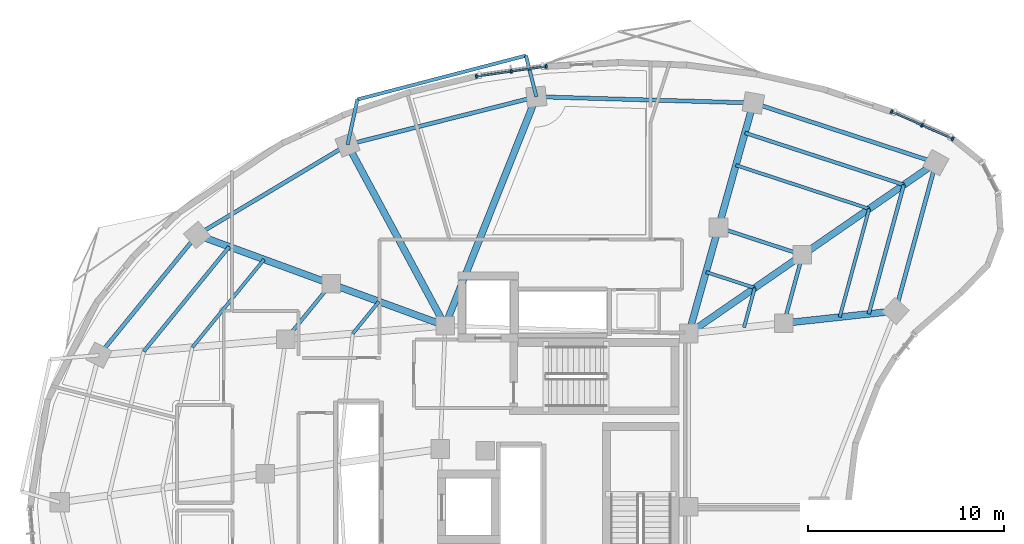
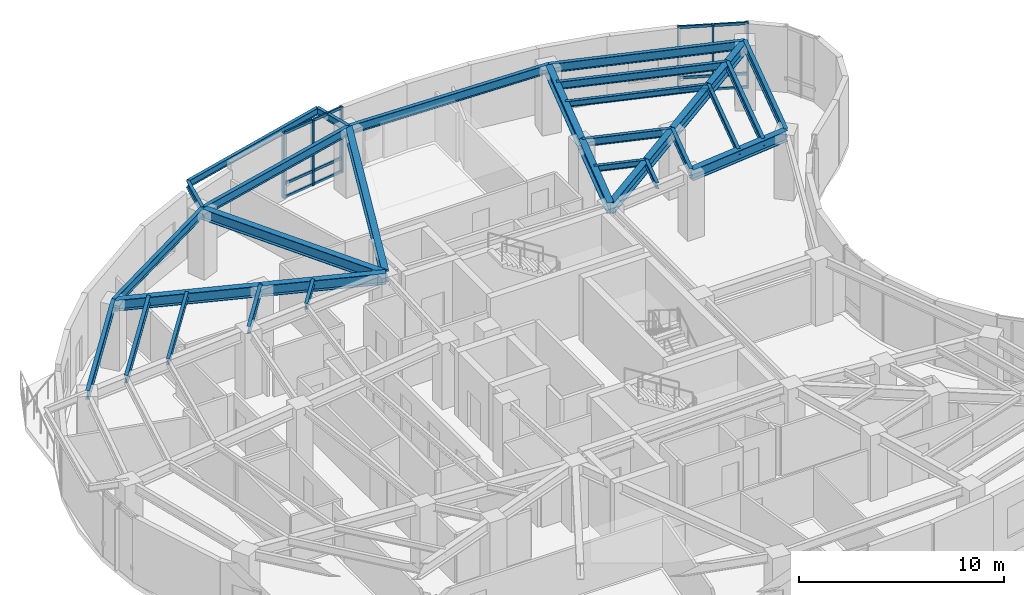
# One storey, part 5 of 15: 30 beams, 18 members, 2 elements without a shape of their own.
"""IFC4 building model written with IfcOpenShell, lengths in metres."""

from ifc_helpers import new_model, si_unit, direction, frame, origin, origin_2d, place, context, subcontext, project, spatial, rectangle, i_section, extrude, material, layer, layer_set, material_profile, profile_set, type_object, element, aggregate, save


model = new_model("IFC4")

# Units and contexts
model_context = context("Model", 3, precision=1e-05, world=origin(), true_north=direction((0.0, 1.0)))
body_context = subcontext(model_context, "Body", "Model", "MODEL_VIEW")
ifc_project = project(units=[si_unit("LENGTHUNIT", "METRE"), si_unit("AREAUNIT", "SQUARE_METRE"), si_unit("VOLUMEUNIT", "CUBIC_METRE"), si_unit("PLANEANGLEUNIT", "RADIAN"), si_unit("MASSUNIT", "GRAM", prefix="KILO")], contexts=[model_context])

# Site, building, storey
site_placement = place(None, origin())
site = spatial("IfcSite", under=ifc_project, at=site_placement, CompositionType="ELEMENT")
building_placement = place(site_placement, origin())
building = spatial("IfcBuilding", under=site, at=building_placement, Name="Korentha Bioscience Tower", CompositionType="ELEMENT")
storey_placement = place(building_placement, frame((0.0, 0.0, 235.199951171875)))
storey = spatial("IfcBuildingStorey", under=building, at=storey_placement, Name="L54", CompositionType="ELEMENT", Elevation=235.199951171875)

# Beams
ifc_material_1 = material(Name="Steel S355", Category="steel")
ifc_material_profile_1 = material_profile(ifc_material_1, i_section(OverallWidth=0.18994140625, OverallDepth=0.45703125, WebThickness=0.009033203125, FlangeThickness=0.014404296875, at=origin_2d()), Name="Steel S355")
ifc_profile_set_1 = profile_set([ifc_material_profile_1], Name="Steel S355 (MB-460)")
beam_type_1 = type_object("IfcBeamType", Name="Mid-Ring Tie Girder W460x74", PredefinedType="BEAM", material=ifc_profile_set_1)
beam_1_placement = place(storey_placement, frame((43.357666015625, 39.8662109375, 3.671630859375), z_axis=(-0.950447398506, 0.310885417274, 0.0), x_axis=(-0.310885417274, -0.950447398506, 0.0)))
element("IfcBeam", 1, at=beam_1_placement, inside=storey, type_object=beam_type_1, Name="L54 Mid-Ring Tie Girder 01", PredefinedType="BEAM", context=body_context, shape_type="SweptSolid", body=[
    extrude(i_section(OverallWidth=0.18994140625, OverallDepth=0.45703125, WebThickness=0.009033203125, FlangeThickness=0.014404296875, at=origin_2d()), origin(), (0.0, 0.0, 1.0), 4.5146484375),
])
beam_2_placement = place(storey_placement, frame((19.268310546875, 38.3837890625, 3.671630859375), z_axis=(-0.632275728894, -0.774743443116, 0.0), x_axis=(0.774743443116, -0.632275728894, 0.0)))
element("IfcBeam", 2, at=beam_2_placement, inside=storey, type_object=beam_type_1, Name="L54 Mid-Ring Tie Girder 05", PredefinedType="BEAM", context=body_context, shape_type="SweptSolid", body=[
    extrude(i_section(OverallWidth=0.18994140625, OverallDepth=0.45703125, WebThickness=0.009033203125, FlangeThickness=0.014404296875, at=origin_2d()), origin(), (0.0, 0.0, 1.0), 3.650146484375),
])
beam_3_placement = place(storey_placement, frame((42.41064453125, 36.379638671875, 3.671630859375), z_axis=(0.262122358011, 0.965034646752, 0.0), x_axis=(-0.965034646752, 0.262122358011, 0.0)))
element("IfcBeam", 3, at=beam_3_placement, inside=storey, type_object=beam_type_1, Name="L54 Mid-Ring Tie Girder 16", PredefinedType="BEAM", context=body_context, shape_type="SweptSolid", body=[
    extrude(i_section(OverallWidth=0.18994140625, OverallDepth=0.45703125, WebThickness=0.009033203125, FlangeThickness=0.014404296875, at=origin_2d()), origin(), (0.0, 0.0, 1.0), 3.61279296875),
])

# Curtain wall, members
ifc_material_2 = material(Name="Thermally Broken Aluminium Frame", Category="aluminium")
ifc_layer = layer(ifc_material_2, 0.219970703125, Name="Thermally Broken Aluminium Frame")
ifc_layer_set = layer_set([ifc_layer], Name="Thermally Broken Aluminium Frame (CW-T2)")
curtain_wall_type = type_object("IfcCurtainWallType", Name="Solar-Screened Lab Unitised Curtain Wall CW-T2", PredefinedType="USERDEFINED", material=ifc_layer_set)
curtain_wall_1_placement = place(storey_placement, origin())
curtain_wall_1 = element("IfcCurtainWall", 4, at=curtain_wall_1_placement, inside=storey, type_object=curtain_wall_type, Name="L54 Curtain Wall 01", ObjectType="UNITISED", PredefinedType="USERDEFINED")
ifc_material_3 = material(Name="Anodised Aluminium 6063-T6", Category="aluminium")
ifc_material_profile_2 = material_profile(ifc_material_3, rectangle(XDim=0.090087890625, YDim=0.199951171875, at=origin_2d()), Name="Anodised Aluminium 6063-T6")
ifc_profile_set_2 = profile_set([ifc_material_profile_2], Name="Anodised Aluminium 6063-T6 (CW-MUL)")
member_type_1 = type_object("IfcMemberType", Name="Mullion RECT 90x200", PredefinedType="MULLION", material=ifc_profile_set_2)
member_1_placement = place(storey_placement, frame((51.038818359375, 45.795166015625, 0.0), z_axis=(0.0, 0.0, 1.0), x_axis=(-0.913943941578, 0.405840450983, 0.0)))
member_1 = element("IfcMember", 5, at=member_1_placement, type_object=member_type_1, Name="CW-L54-01 Mullion 1", PredefinedType="MULLION", context=body_context, shape_type="SweptSolid", body=[
    extrude(rectangle(XDim=0.090087890625, YDim=0.199951171875, at=origin_2d()), origin(), (0.0, 0.0, 1.0), 3.900146484375),
])
member_2_placement = place(storey_placement, frame((49.471923828125, 46.49072265625, 0.0), z_axis=(0.0, 0.0, 1.0), x_axis=(-0.913943941578, 0.405840450983, 0.0)))
member_2 = element("IfcMember", 6, at=member_2_placement, type_object=member_type_1, Name="CW-L54-01 Mullion 2", PredefinedType="MULLION", context=body_context, shape_type="SweptSolid", body=[
    extrude(rectangle(XDim=0.090087890625, YDim=0.199951171875, at=origin_2d()), origin(), (0.0, 0.0, 1.0), 3.900146484375),
])
member_3_placement = place(storey_placement, frame((47.9052734375, 47.186279296875, 0.0), z_axis=(0.0, 0.0, 1.0), x_axis=(-0.913943941578, 0.405840450983, 0.0)))
member_3 = element("IfcMember", 7, at=member_3_placement, type_object=member_type_1, Name="CW-L54-01 Mullion 3", PredefinedType="MULLION", context=body_context, shape_type="SweptSolid", body=[
    extrude(rectangle(XDim=0.090087890625, YDim=0.199951171875, at=origin_2d()), origin(), (0.0, 0.0, 1.0), 3.900146484375),
])

curtain_wall_2_placement = place(storey_placement, origin())
curtain_wall_2 = element("IfcCurtainWall", 8, at=curtain_wall_2_placement, inside=storey, type_object=curtain_wall_type, Name="L54 Curtain Wall 07", ObjectType="UNITISED", PredefinedType="USERDEFINED")
member_4_placement = place(storey_placement, frame((30.267578125, 49.498779296875, 0.0), z_axis=(0.0, 0.0, 1.0), x_axis=(-0.989901889134, -0.141754188259, 0.0)))
member_4 = element("IfcMember", 9, at=member_4_placement, type_object=member_type_1, Name="CW-L54-07 Mullion 1", PredefinedType="MULLION", context=body_context, shape_type="SweptSolid", body=[
    extrude(rectangle(XDim=0.090087890625, YDim=0.199951171875, at=origin_2d()), origin(), (0.0, 0.0, 1.0), 3.900146484375),
])
member_5_placement = place(storey_placement, frame((28.47998046875, 49.242919921875, 0.0), z_axis=(0.0, 0.0, 1.0), x_axis=(-0.989901889134, -0.141754188259, 0.0)))
member_5 = element("IfcMember", 10, at=member_5_placement, type_object=member_type_1, Name="CW-L54-07 Mullion 2", PredefinedType="MULLION", context=body_context, shape_type="SweptSolid", body=[
    extrude(rectangle(XDim=0.090087890625, YDim=0.199951171875, at=origin_2d()), origin(), (0.0, 0.0, 1.0), 3.900146484375),
])
member_6_placement = place(storey_placement, frame((26.6923828125, 48.98681640625, 0.0), z_axis=(0.0, 0.0, 1.0), x_axis=(-0.989901889134, -0.141754188259, 0.0)))
member_6 = element("IfcMember", 11, at=member_6_placement, type_object=member_type_1, Name="CW-L54-07 Mullion 3", PredefinedType="MULLION", context=body_context, shape_type="SweptSolid", body=[
    extrude(rectangle(XDim=0.090087890625, YDim=0.199951171875, at=origin_2d()), origin(), (0.0, 0.0, 1.0), 3.900146484375),
])

# Beams
ifc_material_profile_3 = material_profile(ifc_material_1, i_section(OverallWidth=0.208984375, OverallDepth=0.532958984375, WebThickness=0.01025390625, FlangeThickness=0.015625, at=origin_2d()), Name="Steel S355")
ifc_profile_set_3 = profile_set([ifc_material_profile_3], Name="Steel S355 (SB-530)")
beam_type_2 = type_object("IfcBeamType", Name="Perimeter Ring Spandrel Girder W530x92", PredefinedType="SPANDREL", material=ifc_profile_set_3)
beam_4_placement = place(storey_placement, frame((50.175537109375, 44.580810546875, 3.633544921875), z_axis=(-0.950449256032, 0.310879738338, 0.0), x_axis=(-0.310879738338, -0.950449256032, 0.0)))
element("IfcBeam", 12, at=beam_4_placement, inside=storey, type_object=beam_type_2, Name="L54 Perimeter Spandrel Girder 01", PredefinedType="SPANDREL", context=body_context, shape_type="SweptSolid", body=[
    extrude(i_section(OverallWidth=0.208984375, OverallDepth=0.532958984375, WebThickness=0.01025390625, FlangeThickness=0.015625, at=origin_2d()), origin(), (0.0, 0.0, 1.0), 9.81494140625),
])
beam_5_placement = place(storey_placement, frame((40.846923828125, 47.632080078125, 3.633544921875), z_axis=(-0.999586140554, 0.028767127286, 0.0), x_axis=(-0.028767127286, -0.999586140554, 0.0)))
element("IfcBeam", 13, at=beam_5_placement, inside=storey, type_object=beam_type_2, Name="L54 Perimeter Spandrel Girder 02", PredefinedType="SPANDREL", context=body_context, shape_type="SweptSolid", body=[
    extrude(i_section(OverallWidth=0.208984375, OverallDepth=0.532958984375, WebThickness=0.01025390625, FlangeThickness=0.015625, at=origin_2d()), origin(), (0.0, 0.0, 1.0), 11.09228515625),
])
beam_6_placement = place(storey_placement, frame((29.75927734375, 47.951171875, 3.633544921875), z_axis=(-0.969197317616, -0.246285524395, 0.0), x_axis=(0.246285524395, -0.969197317616, 0.0)))
element("IfcBeam", 14, at=beam_6_placement, inside=storey, type_object=beam_type_2, Name="L54 Perimeter Spandrel Girder 03", PredefinedType="SPANDREL", context=body_context, shape_type="SweptSolid", body=[
    extrude(i_section(OverallWidth=0.208984375, OverallDepth=0.532958984375, WebThickness=0.01025390625, FlangeThickness=0.015625, at=origin_2d()), origin(), (0.0, 0.0, 1.0), 9.95263671875),
])
beam_7_placement = place(storey_placement, frame((20.11328125, 45.5, 3.633544921875), z_axis=(-0.857644232791, -0.514243492872, 0.0), x_axis=(0.514243492872, -0.857644232791, 0.0)))
element("IfcBeam", 15, at=beam_7_placement, inside=storey, type_object=beam_type_2, Name="L54 Perimeter Spandrel Girder 04", PredefinedType="SPANDREL", context=body_context, shape_type="SweptSolid", body=[
    extrude(i_section(OverallWidth=0.208984375, OverallDepth=0.532958984375, WebThickness=0.01025390625, FlangeThickness=0.015625, at=origin_2d()), origin(), (0.0, 0.0, 1.0), 8.96728515625),
])
beam_8_placement = place(storey_placement, frame((12.422607421875, 40.888671875, 3.633544921875), z_axis=(-0.632315820697, -0.774710722074, 0.0), x_axis=(0.774710722074, -0.632315820697, 0.0)))
element("IfcBeam", 16, at=beam_8_placement, inside=storey, type_object=beam_type_2, Name="L54 Perimeter Spandrel Girder 05", PredefinedType="SPANDREL", context=body_context, shape_type="SweptSolid", body=[
    extrude(i_section(OverallWidth=0.208984375, OverallDepth=0.532958984375, WebThickness=0.01025390625, FlangeThickness=0.015625, at=origin_2d()), origin(), (0.0, 0.0, 1.0), 7.934814453125),
])
beam_9_placement = place(storey_placement, frame((48.116455078125, 37.001220703125, 3.633544921875), z_axis=(0.26215989838, 0.965024449266, 0.0), x_axis=(-0.965024449266, 0.26215989838, 0.0)))
element("IfcBeam", 17, at=beam_9_placement, inside=storey, type_object=beam_type_2, Name="L54 Perimeter Spandrel Girder 16", PredefinedType="SPANDREL", context=body_context, shape_type="SweptSolid", body=[
    extrude(i_section(OverallWidth=0.208984375, OverallDepth=0.532958984375, WebThickness=0.01025390625, FlangeThickness=0.015625, at=origin_2d()), origin(), (0.0, 0.0, 1.0), 7.854248046875),
])
ifc_material_profile_4 = material_profile(ifc_material_1, i_section(OverallWidth=0.18994140625, OverallDepth=0.45703125, WebThickness=0.009033203125, FlangeThickness=0.014404296875, at=origin_2d()), Name="Steel S355")
ifc_profile_set_4 = profile_set([ifc_material_profile_4], Name="Steel S355 (RB-460)")
beam_type_3 = type_object("IfcBeamType", Name="Radial Laboratory Beam W460x74", PredefinedType="BEAM", material=ifc_profile_set_4)
beam_10_placement = place(storey_placement, frame((48.539306640625, 43.44921875, 3.671630859375), z_axis=(-0.950451488918, 0.310872911674, 0.0), x_axis=(-0.310872911674, -0.950451488918, 0.0)))
element("IfcBeam", 18, at=beam_10_placement, inside=storey, type_object=beam_type_3, Name="L54 Secondary Floor Beam JSTO-01", PredefinedType="BEAM", context=body_context, shape_type="SweptSolid", body=[
    extrude(i_section(OverallWidth=0.18994140625, OverallDepth=0.45703125, WebThickness=0.009033203125, FlangeThickness=0.014404296875, at=origin_2d()), origin(), (0.0, 0.0, 1.0), 8.54296875),
])
beam_11_placement = place(storey_placement, frame((14.065673828125, 40.28759765625, 3.671630859375), z_axis=(-0.632321075077, -0.77470643344, 0.0), x_axis=(0.77470643344, -0.632321075077, 0.0)))
element("IfcBeam", 19, at=beam_11_placement, inside=storey, type_object=beam_type_3, Name="L54 Secondary Floor Beam JSTO-05", PredefinedType="BEAM", context=body_context, shape_type="SweptSolid", body=[
    extrude(i_section(OverallWidth=0.18994140625, OverallDepth=0.45703125, WebThickness=0.009033203125, FlangeThickness=0.014404296875, at=origin_2d()), origin(), (0.0, 0.0, 1.0), 6.906494140625),
])
beam_12_placement = place(storey_placement, frame((46.7470703125, 36.85205078125, 3.671630859375), z_axis=(0.262165402462, 0.965022954003, 0.0), x_axis=(-0.965022954003, 0.262165402462, 0.0)))
element("IfcBeam", 20, at=beam_12_placement, inside=storey, type_object=beam_type_3, Name="L54 Secondary Floor Beam JSTO-16", PredefinedType="BEAM", context=body_context, shape_type="SweptSolid", body=[
    extrude(i_section(OverallWidth=0.18994140625, OverallDepth=0.45703125, WebThickness=0.009033203125, FlangeThickness=0.014404296875, at=origin_2d()), origin(), (0.0, 0.0, 1.0), 6.836181640625),
])
ifc_material_profile_5 = material_profile(ifc_material_1, i_section(OverallWidth=0.35009765625, OverallDepth=0.64990234375, WebThickness=0.01611328125, FlangeThickness=0.02490234375, at=origin_2d()), Name="Steel S355")
ifc_profile_set_5 = profile_set([ifc_material_profile_5], Name="Steel S355 (RB-650)")
beam_type_4 = type_object("IfcBeamType", Name="Radial Laboratory Girder CVS 650x208", PredefinedType="BEAM", material=ifc_profile_set_5)
beam_13_placement = place(storey_placement, frame((37.550048828125, 35.85009765625, 3.574951171875), z_axis=(0.822493302413, 0.568774795052, 0.0), x_axis=(-0.568774795052, 0.822493302413, 0.0)))
element("IfcBeam", 21, at=beam_13_placement, inside=storey, type_object=beam_type_4, Name="L54 Inner Radial Girder 01", PredefinedType="BEAM", context=body_context, shape_type="SweptSolid", body=[
    extrude(i_section(OverallWidth=0.35009765625, OverallDepth=0.64990234375, WebThickness=0.01611328125, FlangeThickness=0.02490234375, at=origin_2d()), origin(), (0.0, 0.0, 1.0), 7.06103515625),
])
beam_14_placement = place(storey_placement, frame((43.357666015625, 39.8662109375, 3.574951171875), z_axis=(0.82250061903, 0.568764214499, 0.0), x_axis=(-0.568764214499, 0.82250061903, 0.0)))
element("IfcBeam", 22, at=beam_14_placement, inside=storey, type_object=beam_type_4, Name="L54 Outer Radial Girder 01", PredefinedType="BEAM", context=body_context, shape_type="SweptSolid", body=[
    extrude(i_section(OverallWidth=0.35009765625, OverallDepth=0.64990234375, WebThickness=0.01611328125, FlangeThickness=0.02490234375, at=origin_2d()), origin(), (0.0, 0.0, 1.0), 8.289306640625),
])
beam_15_placement = place(storey_placement, frame((37.550048828125, 35.85009765625, 3.574951171875), z_axis=(0.269480278508, 0.963005908339, 0.0), x_axis=(-0.963005908339, 0.269480278508, 0.0)))
element("IfcBeam", 23, at=beam_15_placement, inside=storey, type_object=beam_type_4, Name="L54 Inner Radial Girder 02", PredefinedType="BEAM", context=body_context, shape_type="SweptSolid", body=[
    extrude(i_section(OverallWidth=0.35009765625, OverallDepth=0.64990234375, WebThickness=0.01611328125, FlangeThickness=0.02490234375, at=origin_2d()), origin(), (0.0, 0.0, 1.0), 5.6279296875),
])
beam_16_placement = place(storey_placement, frame((39.066650390625, 41.269775390625, 3.574951171875), z_axis=(0.269465439817, 0.963010060562, 0.0), x_axis=(-0.963010060562, 0.269465439817, 0.0)))
element("IfcBeam", 24, at=beam_16_placement, inside=storey, type_object=beam_type_4, Name="L54 Outer Radial Girder 02", PredefinedType="BEAM", context=body_context, shape_type="SweptSolid", body=[
    extrude(i_section(OverallWidth=0.35009765625, OverallDepth=0.64990234375, WebThickness=0.01611328125, FlangeThickness=0.02490234375, at=origin_2d()), origin(), (0.0, 0.0, 1.0), 6.606689453125),
])
beam_17_placement = place(storey_placement, frame((25.10009765625, 36.25, 3.574951171875), z_axis=(0.369933042289, 0.929058418089, 0.0), x_axis=(-0.929058418089, 0.369933042289, 0.0)))
element("IfcBeam", 25, at=beam_17_placement, inside=storey, type_object=beam_type_4, Name="L54 Radial Girder 03", PredefinedType="BEAM", context=body_context, shape_type="SweptSolid", body=[
    extrude(i_section(OverallWidth=0.35009765625, OverallDepth=0.64990234375, WebThickness=0.01611328125, FlangeThickness=0.02490234375, at=origin_2d()), origin(), (0.0, 0.0, 1.0), 12.5947265625),
])
beam_18_placement = place(storey_placement, frame((25.10009765625, 36.25, 3.574951171875), z_axis=(-0.474545867703, 0.880230776243, 0.0), x_axis=(-0.880230776243, -0.474545867703, 0.0)))
element("IfcBeam", 26, at=beam_18_placement, inside=storey, type_object=beam_type_4, Name="L54 Radial Girder 04", PredefinedType="BEAM", context=body_context, shape_type="SweptSolid", body=[
    extrude(i_section(OverallWidth=0.35009765625, OverallDepth=0.64990234375, WebThickness=0.01611328125, FlangeThickness=0.02490234375, at=origin_2d()), origin(), (0.0, 0.0, 1.0), 10.508544921875),
])
beam_19_placement = place(storey_placement, frame((25.10009765625, 36.25, 3.574951171875), z_axis=(-0.939112022558, 0.343611130622, 0.0), x_axis=(-0.343611130622, -0.939112022558, 0.0)))
element("IfcBeam", 27, at=beam_19_placement, inside=storey, type_object=beam_type_4, Name="L54 Inner Radial Girder 05", PredefinedType="BEAM", context=body_context, shape_type="SweptSolid", body=[
    extrude(i_section(OverallWidth=0.35009765625, OverallDepth=0.64990234375, WebThickness=0.01611328125, FlangeThickness=0.02490234375, at=origin_2d()), origin(), (0.0, 0.0, 1.0), 6.2099609375),
])
beam_20_placement = place(storey_placement, frame((19.268310546875, 38.3837890625, 3.574951171875), z_axis=(-0.939107036581, 0.343624757322, 0.0), x_axis=(-0.343624757322, -0.939107036581, 0.0)))
element("IfcBeam", 28, at=beam_20_placement, inside=storey, type_object=beam_type_4, Name="L54 Outer Radial Girder 05", PredefinedType="BEAM", context=body_context, shape_type="SweptSolid", body=[
    extrude(i_section(OverallWidth=0.35009765625, OverallDepth=0.64990234375, WebThickness=0.01611328125, FlangeThickness=0.02490234375, at=origin_2d()), origin(), (0.0, 0.0, 1.0), 7.28955078125),
])
beam_21_placement = place(storey_placement, frame((42.41064453125, 36.379638671875, 3.574951171875), z_axis=(0.994118507308, 0.108297707398, 0.0), x_axis=(-0.108297707398, 0.994118507308, 0.0)))
element("IfcBeam", 29, at=beam_21_placement, inside=storey, type_object=beam_type_4, Name="L54 Outer Radial Girder 16", PredefinedType="BEAM", context=body_context, shape_type="SweptSolid", body=[
    extrude(i_section(OverallWidth=0.35009765625, OverallDepth=0.64990234375, WebThickness=0.01611328125, FlangeThickness=0.02490234375, at=origin_2d()), origin(), (0.0, 0.0, 1.0), 5.739501953125),
])
ifc_material_profile_6 = material_profile(ifc_material_1, i_section(OverallWidth=0.1708984375, OverallDepth=0.35498046875, WebThickness=0.007080078125, FlangeThickness=0.01171875, at=origin_2d()), Name="Steel S355")
ifc_profile_set_6 = profile_set([ifc_material_profile_6], Name="Steel S355 (JB-360)")
beam_type_5 = type_object("IfcBeamType", Name="Secondary Laboratory Joist W360x51", PredefinedType="JOIST", material=ifc_profile_set_6)
beam_22_placement = place(storey_placement, frame((46.7666015625, 42.223388671875, 3.72265625), z_axis=(-0.950443636542, 0.310896918216, 0.0), x_axis=(-0.310896918216, -0.950443636542, 0.0)))
element("IfcBeam", 30, at=beam_22_placement, inside=storey, type_object=beam_type_5, Name="L54 Secondary Floor Beam JST-01", PredefinedType="JOIST", context=body_context, shape_type="SweptSolid", body=[
    extrude(i_section(OverallWidth=0.1708984375, OverallDepth=0.35498046875, WebThickness=0.007080078125, FlangeThickness=0.01171875, at=origin_2d()), origin(), (0.0, 0.0, 1.0), 7.164794921875),
])
beam_23_placement = place(storey_placement, frame((40.91845703125, 38.179443359375, 3.72265625), z_axis=(-0.950458247894, 0.31085224627, 0.0), x_axis=(-0.31085224627, -0.950458247894, 0.0)))
element("IfcBeam", 31, at=beam_23_placement, inside=storey, type_object=beam_type_5, Name="L54 Inner Bay Joist 01", PredefinedType="JOIST", context=body_context, shape_type="SweptSolid", body=[
    extrude(i_section(OverallWidth=0.1708984375, OverallDepth=0.35498046875, WebThickness=0.007080078125, FlangeThickness=0.01171875, at=origin_2d()), origin(), (0.0, 0.0, 1.0), 2.618408203125),
])
beam_24_placement = place(storey_placement, frame((15.845458984375, 39.63623046875, 3.72265625), z_axis=(-0.632303189088, -0.774721031771, 0.0), x_axis=(0.774721031771, -0.632303189088, 0.0)))
element("IfcBeam", 32, at=beam_24_placement, inside=storey, type_object=beam_type_5, Name="L54 Secondary Floor Beam JST-05", PredefinedType="JOIST", context=body_context, shape_type="SweptSolid", body=[
    extrude(i_section(OverallWidth=0.1708984375, OverallDepth=0.35498046875, WebThickness=0.007080078125, FlangeThickness=0.01171875, at=origin_2d()), origin(), (0.0, 0.0, 1.0), 5.79248046875),
])
beam_25_placement = place(storey_placement, frame((21.7177734375, 37.487548828125, 3.72265625), z_axis=(-0.632370841021, -0.774665811448, 0.0), x_axis=(0.774665811448, -0.632370841021, 0.0)))
element("IfcBeam", 33, at=beam_25_placement, inside=storey, type_object=beam_type_5, Name="L54 Inner Bay Joist 05", PredefinedType="JOIST", context=body_context, shape_type="SweptSolid", body=[
    extrude(i_section(OverallWidth=0.1708984375, OverallDepth=0.35498046875, WebThickness=0.007080078125, FlangeThickness=0.01171875, at=origin_2d()), origin(), (0.0, 0.0, 1.0), 2.1171875),
])
beam_26_placement = place(storey_placement, frame((45.263671875, 36.6904296875, 3.72265625), z_axis=(0.262133629198, 0.965031585205, 0.0), x_axis=(-0.965031585205, 0.262133629198, 0.0)))
element("IfcBeam", 34, at=beam_26_placement, inside=storey, type_object=beam_type_5, Name="L54 Secondary Floor Beam JST-16", PredefinedType="JOIST", context=body_context, shape_type="SweptSolid", body=[
    extrude(i_section(OverallWidth=0.1708984375, OverallDepth=0.35498046875, WebThickness=0.007080078125, FlangeThickness=0.01171875, at=origin_2d()), origin(), (0.0, 0.0, 1.0), 5.7333984375),
])
beam_27_placement = place(storey_placement, frame((40.369140625, 36.1572265625, 3.72265625), z_axis=(0.262141298938, 0.965029501824, 0.0), x_axis=(-0.965029501824, 0.262141298938, 0.0)))
element("IfcBeam", 35, at=beam_27_placement, inside=storey, type_object=beam_type_5, Name="L54 Inner Bay Joist 16", PredefinedType="JOIST", context=body_context, shape_type="SweptSolid", body=[
    extrude(i_section(OverallWidth=0.1708984375, OverallDepth=0.35498046875, WebThickness=0.007080078125, FlangeThickness=0.01171875, at=origin_2d()), origin(), (0.0, 0.0, 1.0), 2.095458984375),
])
ifc_material_profile_7 = material_profile(ifc_material_1, i_section(OverallWidth=0.177978515625, OverallDepth=0.406982421875, WebThickness=0.0078125, FlangeThickness=0.0126953125, at=origin_2d()), Name="Steel S355")
ifc_profile_set_7 = profile_set([ifc_material_profile_7], Name="Steel S355 (CB-410)")
beam_type_6 = type_object("IfcBeamType", Name="Sun-Ledge Cantilever Beam W410x60", PredefinedType="BEAM", material=ifc_profile_set_7)
beam_28_placement = place(storey_placement, frame((29.75927734375, 47.951171875, 3.698486328125), z_axis=(-0.245026507766, 0.969516379693, 0.0), x_axis=(-0.969516379693, -0.245026507766, 0.0)))
element("IfcBeam", 36, at=beam_28_placement, inside=storey, type_object=beam_type_6, Name="L54 Balcony Cantilever Bracket A-L55-01", PredefinedType="BEAM", context=body_context, shape_type="SweptSolid", body=[
    extrude(i_section(OverallWidth=0.177978515625, OverallDepth=0.406982421875, WebThickness=0.0078125, FlangeThickness=0.0126953125, at=origin_2d()), origin(), (0.0, 0.0, 1.0), 2.167236328125),
])
beam_29_placement = place(storey_placement, frame((20.11328125, 45.5, 3.698486328125), z_axis=(0.211970516283, 0.977276061421, 0.0), x_axis=(-0.977276061421, 0.211970516283, 0.0)))
element("IfcBeam", 37, at=beam_29_placement, inside=storey, type_object=beam_type_6, Name="L54 Balcony Cantilever Bracket B-L55-01", PredefinedType="BEAM", context=body_context, shape_type="SweptSolid", body=[
    extrude(i_section(OverallWidth=0.177978515625, OverallDepth=0.406982421875, WebThickness=0.0078125, FlangeThickness=0.0126953125, at=origin_2d()), origin(), (0.0, 0.0, 1.0), 2.3623046875),
])
beam_30_placement = place(storey_placement, frame((29.228271484375, 50.05224609375, 3.698486328125), z_axis=(-0.967714479452, -0.252048975914, 0.0), x_axis=(0.252048975914, -0.967714479452, 0.0)))
element("IfcBeam", 38, at=beam_30_placement, inside=storey, type_object=beam_type_6, Name="L54 Balcony Edge Trimmer Beam L55-01", PredefinedType="BEAM", context=body_context, shape_type="SweptSolid", body=[
    extrude(i_section(OverallWidth=0.177978515625, OverallDepth=0.406982421875, WebThickness=0.0078125, FlangeThickness=0.0126953125, at=origin_2d()), origin(), (0.0, 0.0, 1.0), 8.901611328125),
])

# Member
ifc_material_profile_8 = material_profile(ifc_material_3, rectangle(XDim=0.090087890625, YDim=0.159912109375, at=origin_2d()), Name="Anodised Aluminium 6063-T6")
ifc_profile_set_8 = profile_set([ifc_material_profile_8], Name="Anodised Aluminium 6063-T6 (CW-TRN)")
member_type_2 = type_object("IfcMemberType", Name="Transom RECT 90x160", PredefinedType="USERDEFINED", material=ifc_profile_set_8)
member_7_placement = place(storey_placement, frame((50.99755859375, 45.813232421875, 0.045166015625), z_axis=(-0.913935479932, 0.405859505891, 0.0), x_axis=(-0.405859505891, -0.913935479932, 0.0)))
member_7 = element("IfcMember", 39, at=member_7_placement, type_object=member_type_2, Name="CW-L54-01 Bay 1 Transom 1", ObjectType="TRANSOM", PredefinedType="USERDEFINED", context=body_context, shape_type="SweptSolid", body=[
    extrude(rectangle(XDim=0.090087890625, YDim=0.159912109375, at=origin_2d()), origin(), (0.0, 0.0, 1.0), 1.624267578125),
])

member_8_placement = place(storey_placement, frame((50.99755859375, 45.813232421875, 0.85009765625), z_axis=(-0.913935479932, 0.405859505891, 0.0), x_axis=(-0.405859505891, -0.913935479932, 0.0)))
member_8 = element("IfcMember", 40, at=member_8_placement, type_object=member_type_2, Name="CW-L54-01 Bay 1 Transom 2", ObjectType="TRANSOM", PredefinedType="USERDEFINED", context=body_context, shape_type="SweptSolid", body=[
    extrude(rectangle(XDim=0.090087890625, YDim=0.159912109375, at=origin_2d()), origin(), (0.0, 0.0, 1.0), 1.624267578125),
])

member_9_placement = place(storey_placement, frame((50.99755859375, 45.813232421875, 3.85498046875), z_axis=(-0.913935479932, 0.405859505891, 0.0), x_axis=(-0.405859505891, -0.913935479932, 0.0)))
member_9 = element("IfcMember", 41, at=member_9_placement, type_object=member_type_2, Name="CW-L54-01 Bay 1 Transom 3", ObjectType="TRANSOM", PredefinedType="USERDEFINED", context=body_context, shape_type="SweptSolid", body=[
    extrude(rectangle(XDim=0.090087890625, YDim=0.159912109375, at=origin_2d()), origin(), (0.0, 0.0, 1.0), 1.624267578125),
])

member_10_placement = place(storey_placement, frame((49.430908203125, 46.509033203125, 0.045166015625), z_axis=(-0.913935479932, 0.405859505891, 0.0), x_axis=(-0.405859505891, -0.913935479932, 0.0)))
member_10 = element("IfcMember", 42, at=member_10_placement, type_object=member_type_2, Name="CW-L54-01 Bay 2 Transom 1", ObjectType="TRANSOM", PredefinedType="USERDEFINED", context=body_context, shape_type="SweptSolid", body=[
    extrude(rectangle(XDim=0.090087890625, YDim=0.159912109375, at=origin_2d()), origin(), (0.0, 0.0, 1.0), 1.624267578125),
])

member_11_placement = place(storey_placement, frame((49.430908203125, 46.509033203125, 0.85009765625), z_axis=(-0.913935479932, 0.405859505891, 0.0), x_axis=(-0.405859505891, -0.913935479932, 0.0)))
member_11 = element("IfcMember", 43, at=member_11_placement, type_object=member_type_2, Name="CW-L54-01 Bay 2 Transom 2", ObjectType="TRANSOM", PredefinedType="USERDEFINED", context=body_context, shape_type="SweptSolid", body=[
    extrude(rectangle(XDim=0.090087890625, YDim=0.159912109375, at=origin_2d()), origin(), (0.0, 0.0, 1.0), 1.624267578125),
])

member_12_placement = place(storey_placement, frame((49.430908203125, 46.509033203125, 3.85498046875), z_axis=(-0.913935479932, 0.405859505891, 0.0), x_axis=(-0.405859505891, -0.913935479932, 0.0)))
member_12 = element("IfcMember", 44, at=member_12_placement, type_object=member_type_2, Name="CW-L54-01 Bay 2 Transom 3", ObjectType="TRANSOM", PredefinedType="USERDEFINED", context=body_context, shape_type="SweptSolid", body=[
    extrude(rectangle(XDim=0.090087890625, YDim=0.159912109375, at=origin_2d()), origin(), (0.0, 0.0, 1.0), 1.624267578125),
])

aggregate(curtain_wall_1, [member_1, member_2, member_3, member_7, member_8, member_9, member_10, member_11, member_12])

member_13_placement = place(storey_placement, frame((30.222900390625, 49.492431640625, 0.045166015625), z_axis=(-0.989906761771, -0.141720157356, 0.0), x_axis=(0.141720157356, -0.989906761771, 0.0)))
member_13 = element("IfcMember", 45, at=member_13_placement, type_object=member_type_2, Name="CW-L54-07 Bay 1 Transom 1", ObjectType="TRANSOM", PredefinedType="USERDEFINED", context=body_context, shape_type="SweptSolid", body=[
    extrude(rectangle(XDim=0.090087890625, YDim=0.159912109375, at=origin_2d()), origin(), (0.0, 0.0, 1.0), 1.7158203125),
])

member_14_placement = place(storey_placement, frame((30.222900390625, 49.492431640625, 0.85009765625), z_axis=(-0.989906761771, -0.141720157356, 0.0), x_axis=(0.141720157356, -0.989906761771, 0.0)))
member_14 = element("IfcMember", 46, at=member_14_placement, type_object=member_type_2, Name="CW-L54-07 Bay 1 Transom 2", ObjectType="TRANSOM", PredefinedType="USERDEFINED", context=body_context, shape_type="SweptSolid", body=[
    extrude(rectangle(XDim=0.090087890625, YDim=0.159912109375, at=origin_2d()), origin(), (0.0, 0.0, 1.0), 1.7158203125),
])

member_15_placement = place(storey_placement, frame((30.222900390625, 49.492431640625, 3.85498046875), z_axis=(-0.989906761771, -0.141720157356, 0.0), x_axis=(0.141720157356, -0.989906761771, 0.0)))
member_15 = element("IfcMember", 47, at=member_15_placement, type_object=member_type_2, Name="CW-L54-07 Bay 1 Transom 3", ObjectType="TRANSOM", PredefinedType="USERDEFINED", context=body_context, shape_type="SweptSolid", body=[
    extrude(rectangle(XDim=0.090087890625, YDim=0.159912109375, at=origin_2d()), origin(), (0.0, 0.0, 1.0), 1.7158203125),
])

member_16_placement = place(storey_placement, frame((28.435302734375, 49.236572265625, 0.045166015625), z_axis=(-0.989903903342, -0.14174012187, 0.0), x_axis=(0.14174012187, -0.989903903342, 0.0)))
member_16 = element("IfcMember", 48, at=member_16_placement, type_object=member_type_2, Name="CW-L54-07 Bay 2 Transom 1", ObjectType="TRANSOM", PredefinedType="USERDEFINED", context=body_context, shape_type="SweptSolid", body=[
    extrude(rectangle(XDim=0.090087890625, YDim=0.159912109375, at=origin_2d()), origin(), (0.0, 0.0, 1.0), 1.715576171875),
])

member_17_placement = place(storey_placement, frame((28.435302734375, 49.236572265625, 0.85009765625), z_axis=(-0.989903903342, -0.14174012187, 0.0), x_axis=(0.14174012187, -0.989903903342, 0.0)))
member_17 = element("IfcMember", 49, at=member_17_placement, type_object=member_type_2, Name="CW-L54-07 Bay 2 Transom 2", ObjectType="TRANSOM", PredefinedType="USERDEFINED", context=body_context, shape_type="SweptSolid", body=[
    extrude(rectangle(XDim=0.090087890625, YDim=0.159912109375, at=origin_2d()), origin(), (0.0, 0.0, 1.0), 1.715576171875),
])

member_18_placement = place(storey_placement, frame((28.435302734375, 49.236572265625, 3.85498046875), z_axis=(-0.989903903342, -0.14174012187, 0.0), x_axis=(0.14174012187, -0.989903903342, 0.0)))
member_18 = element("IfcMember", 50, at=member_18_placement, type_object=member_type_2, Name="CW-L54-07 Bay 2 Transom 3", ObjectType="TRANSOM", PredefinedType="USERDEFINED", context=body_context, shape_type="SweptSolid", body=[
    extrude(rectangle(XDim=0.090087890625, YDim=0.159912109375, at=origin_2d()), origin(), (0.0, 0.0, 1.0), 1.715576171875),
])

aggregate(curtain_wall_2, [member_4, member_5, member_6, member_13, member_14, member_15, member_16, member_17, member_18])

save(model, "model.ifc")
